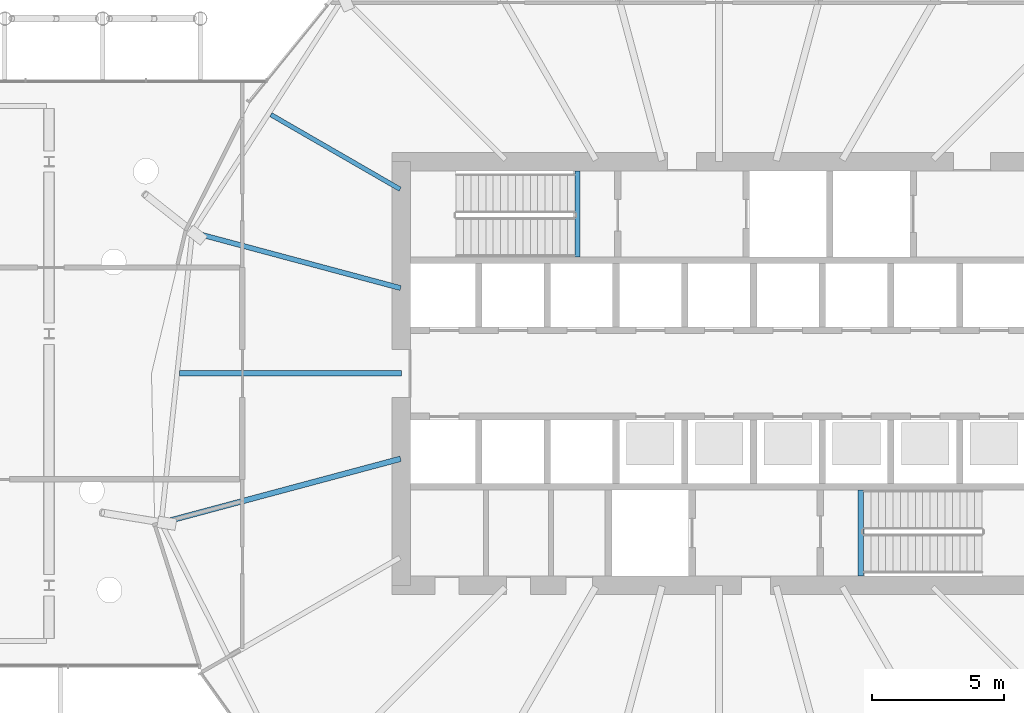
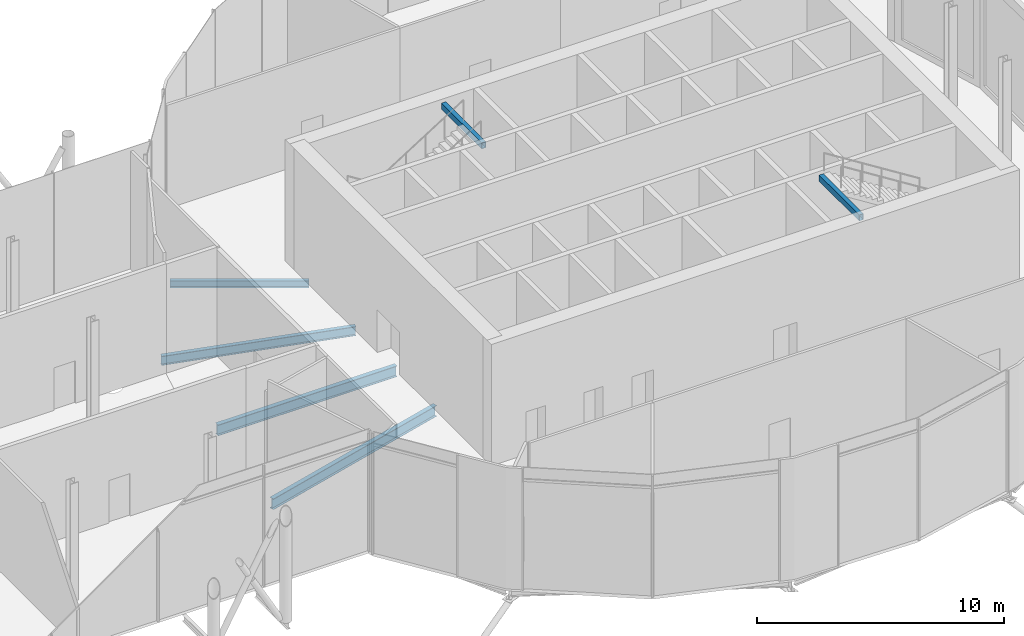
# One storey, part 12 of 38: 6 beams.
"""IFC4 building model written with IfcOpenShell, lengths in metres."""

from ifc_helpers import new_model, si_unit, direction, frame, origin, origin_2d, place, context, subcontext, project, spatial, hollow_rectangle, i_section, extrude, material, material_profile, profile_set, type_object, element, save


model = new_model("IFC4")

# Units and contexts
model_context = context("Model", 3, precision=1e-05, world=origin(), true_north=direction((0.0, 1.0)))
body_context = subcontext(model_context, "Body", "Model", "MODEL_VIEW")
ifc_project = project(units=[si_unit("LENGTHUNIT", "METRE"), si_unit("AREAUNIT", "SQUARE_METRE"), si_unit("VOLUMEUNIT", "CUBIC_METRE"), si_unit("PLANEANGLEUNIT", "RADIAN"), si_unit("MASSUNIT", "GRAM", prefix="KILO")], contexts=[model_context])

# Site, building, storey
site_placement = place(None, origin())
site = spatial("IfcSite", under=ifc_project, at=site_placement, CompositionType="ELEMENT")
building_placement = place(site_placement, origin())
building = spatial("IfcBuilding", under=site, at=building_placement, Name="Rimbun Link Towers", CompositionType="ELEMENT")
storey_placement = place(building_placement, frame((0.0, 0.0, 133.199951171875)))
storey = spatial("IfcBuildingStorey", under=building, at=storey_placement, Name="L32", CompositionType="ELEMENT", Elevation=133.199951171875)

# Beams
ifc_material_1 = material(Name="Steel S355J2", Category="steel")
ifc_material_profile_1 = material_profile(ifc_material_1, hollow_rectangle(XDim=0.199951171875, YDim=0.300048828125, WallThickness=0.011962890625, at=origin_2d()), Name="BOX 300x200x12")
ifc_profile_set_1 = profile_set([ifc_material_profile_1], Name="Steel S355J2")
beam_type_1 = type_object("IfcBeamType", Name="Stair trimmer beam BOX 300x200x12", PredefinedType="BEAM", material=ifc_profile_set_1)
for number, where, z_axis, x_axis, name in (
    (1, (26.39990234375, 7.64990234375, 5.670166015625), (0.0, -1.0, 0.0), (1.0, 0.0, 0.0), "L32 ST3 stair beam 1"),
    (2, (37.10009765625, -7.64990234375, 5.670166015625), (0.0, 1.0, 0.0), (-1.0, 0.0, 0.0), "L32 ST4 stair beam 1"),
):
    element("IfcBeam", number, at=place(storey_placement, frame(where, z_axis=z_axis, x_axis=x_axis)), inside=storey, type_object=beam_type_1, Name=name, PredefinedType="BEAM", context=body_context, shape_type="SweptSolid", body=[
        extrude(hollow_rectangle(XDim=0.199951171875, YDim=0.300048828125, WallThickness=0.011962890625, at=origin_2d()), origin(), (0.0, 0.0, 1.0), 3.25),
    ])
ifc_material_2 = material(Name="Steel S355J2", Category="steel")
ifc_material_profile_2 = material_profile(ifc_material_2, i_section(OverallWidth=0.17138671875, OverallDepth=0.35498046875, WebThickness=0.00732421875, FlangeThickness=0.011474609375, at=origin_2d()), Name="UB 356x171x51")
ifc_profile_set_2 = profile_set([ifc_material_profile_2], Name="Steel S355J2")
beam_type_2 = type_object("IfcBeamType", Name="UB 356x171x51", PredefinedType="BEAM", material=ifc_profile_set_2)
beam_1_placement = place(storey_placement, frame((19.706298828125, 6.95361328125, -0.357421875), z_axis=(-0.866038455972, 0.499977392266, 0.0), x_axis=(-0.499977392266, -0.866038455972, 0.0)))
element("IfcBeam", 3, at=beam_1_placement, inside=storey, type_object=beam_type_2, Name="Radial beam T2 L32 07", PredefinedType="BEAM", context=body_context, shape_type="SweptSolid", body=[
    extrude(i_section(OverallWidth=0.17138671875, OverallDepth=0.35498046875, WebThickness=0.00732421875, FlangeThickness=0.011474609375, at=origin_2d()), origin(), (0.0, 0.0, 1.0), 5.636962890625),
])
ifc_material_3 = material(Name="Steel S355J2", Category="steel")
ifc_material_profile_3 = material_profile(ifc_material_3, i_section(OverallWidth=0.18994140625, OverallDepth=0.453369140625, WebThickness=0.008544921875, FlangeThickness=0.0126953125, at=origin_2d()), Name="UB 457x191x67")
ifc_profile_set_3 = profile_set([ifc_material_profile_3], Name="Steel S355J2")
beam_type_3 = type_object("IfcBeamType", Name="UB 457x191x67", PredefinedType="BEAM", material=ifc_profile_set_3)
beam_2_placement = place(storey_placement, frame((19.724609375, 3.22216796875, -0.40673828125), z_axis=(-0.965925844811, 0.258818975978, 0.0), x_axis=(-0.258818975978, -0.965925844811, 0.0)))
element("IfcBeam", 4, at=beam_2_placement, inside=storey, type_object=beam_type_3, Name="Radial beam T2 L32 08", PredefinedType="BEAM", context=body_context, shape_type="SweptSolid", body=[
    extrude(i_section(OverallWidth=0.18994140625, OverallDepth=0.453369140625, WebThickness=0.008544921875, FlangeThickness=0.0126953125, at=origin_2d()), origin(), (0.0, 0.0, 1.0), 8.146240234375),
])
ifc_material_4 = material(Name="Steel S355J2", Category="steel")
ifc_material_profile_4 = material_profile(ifc_material_4, i_section(OverallWidth=0.209228515625, OverallDepth=0.533203125, WebThickness=0.010009765625, FlangeThickness=0.015625, at=origin_2d()), Name="UB 533x210x92")
ifc_profile_set_4 = profile_set([ifc_material_profile_4], Name="Steel S355J2")
beam_type_4 = type_object("IfcBeamType", Name="UB 533x210x92", PredefinedType="BEAM", material=ifc_profile_set_4)
beam_3_placement = place(storey_placement, frame((19.7490234375, 0.0, -0.446533203125), z_axis=(-1.0, 0.0, 0.0), x_axis=(0.0, -1.0, 0.0)))
element("IfcBeam", 5, at=beam_3_placement, inside=storey, type_object=beam_type_4, Name="Radial beam T2 L32 09", PredefinedType="BEAM", context=body_context, shape_type="SweptSolid", body=[
    extrude(i_section(OverallWidth=0.209228515625, OverallDepth=0.533203125, WebThickness=0.010009765625, FlangeThickness=0.015625, at=origin_2d()), origin(), (0.0, 0.0, 1.0), 8.3701171875),
])
beam_4_placement = place(storey_placement, frame((19.721923828125, -3.222900390625, -0.446533203125), z_axis=(-0.965927078693, -0.258814371021, 0.0), x_axis=(0.258814371021, -0.965927078693, 0.0)))
element("IfcBeam", 6, at=beam_4_placement, inside=storey, type_object=beam_type_4, Name="Radial beam T2 L32 10", PredefinedType="BEAM", context=body_context, shape_type="SweptSolid", body=[
    extrude(i_section(OverallWidth=0.209228515625, OverallDepth=0.533203125, WebThickness=0.010009765625, FlangeThickness=0.015625, at=origin_2d()), origin(), (0.0, 0.0, 1.0), 9.352783203125),
])

save(model, "model.ifc")
